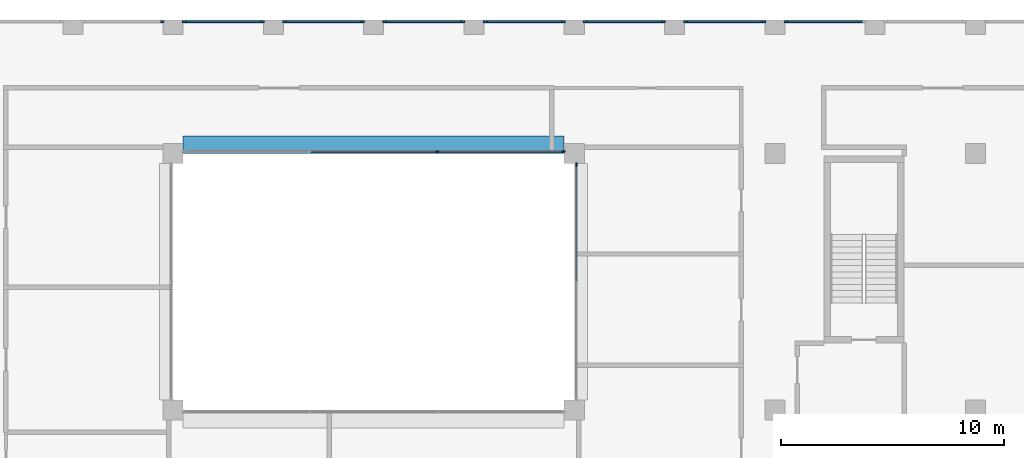
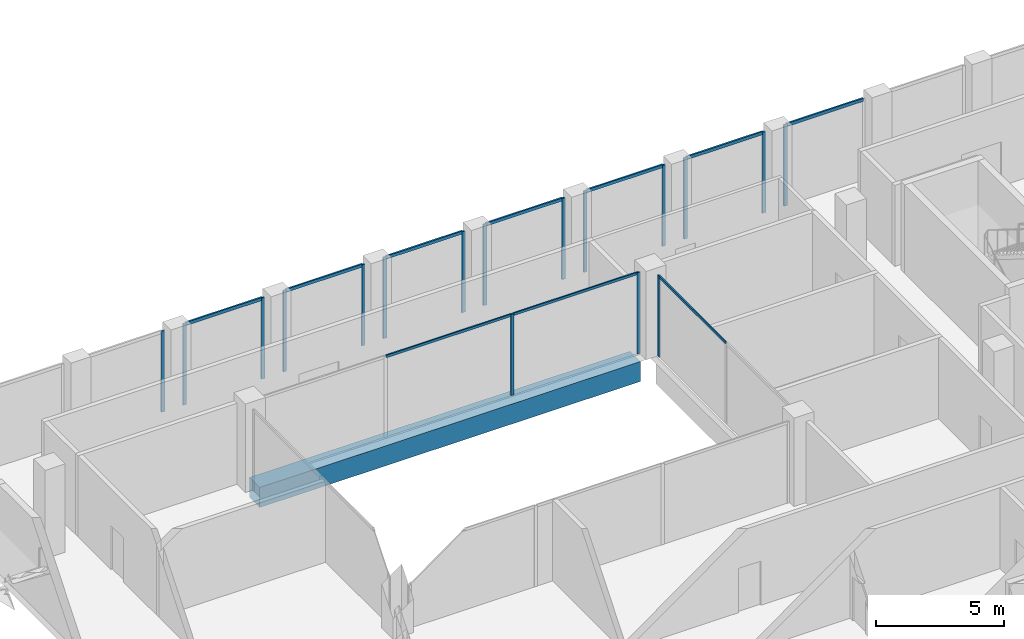
# One storey, part 8 of 15: 27 members, 1 beam, 10 elements without a shape of their own.
"""IFC4 building model written with IfcOpenShell, lengths in metres."""

from ifc_helpers import new_model, si_unit, direction, frame, origin, origin_2d, place, context, subcontext, project, spatial, rectangle, extrude, material, layer, layer_set, material_profile, profile_set, type_object, element, aggregate, save


model = new_model("IFC4")

# Units and contexts
model_context = context("Model", 3, precision=1e-05, world=origin(), true_north=direction((0.0, 1.0)))
body_context = subcontext(model_context, "Body", "Model", "MODEL_VIEW")
ifc_project = project(units=[si_unit("LENGTHUNIT", "METRE"), si_unit("AREAUNIT", "SQUARE_METRE"), si_unit("VOLUMEUNIT", "CUBIC_METRE"), si_unit("PLANEANGLEUNIT", "RADIAN"), si_unit("MASSUNIT", "GRAM", prefix="KILO")], contexts=[model_context])

# Site, building, storey
site_placement = place(None, origin())
site = spatial("IfcSite", under=ifc_project, at=site_placement, CompositionType="ELEMENT")
building_placement = place(site_placement, origin())
building = spatial("IfcBuilding", under=site, at=building_placement, Name="Brigalow Station Residences", CompositionType="ELEMENT")
storey_placement = place(building_placement, frame((0.0, 0.0, 235.800048828125)))
storey = spatial("IfcBuildingStorey", under=building, at=storey_placement, Name="L68", CompositionType="ELEMENT", Elevation=235.800048828125)

# Beam
ifc_material_1 = material(Name="Concrete C65", Category="concrete")
ifc_material_profile_1 = material_profile(ifc_material_1, rectangle(XDim=0.800048828125, YDim=0.949951171875, at=origin_2d()), Name="RC800x950")
ifc_profile_set_1 = profile_set([ifc_material_profile_1], Name="Concrete C65")
beam_type = type_object("IfcBeamType", Name="ATRIUM EDGE GIRDER OVER 13.5 M SPAN 800x950 C65", PredefinedType="BEAM", material=ifc_profile_set_1)
beam_placement = place(storey_placement, frame((27.449951171875, 35.89990234375, -0.824951171875), z_axis=(1.0, 0.0, 0.0), x_axis=(0.0, 1.0, 0.0)))
element("IfcBeam", 1, at=beam_placement, inside=storey, type_object=beam_type, Name="ATRIUM EDGE GIRDER D L68", PredefinedType="BEAM", context=body_context, shape_type="SweptSolid", body=[
    extrude(rectangle(XDim=0.800048828125, YDim=0.949951171875, at=origin_2d()), origin(), (0.0, 0.0, 1.0), 17.10009765625),
])

# Curtain wall, member
ifc_material_2 = material(Name="Aluminium", Category="aluminium")
ifc_layer_1 = layer(ifc_material_2, 0.14990234375)
ifc_layer_set_1 = layer_set([ifc_layer_1], Name="ATRIUM FIRE-RATED GLAZING CURTAIN WALL")
curtain_wall_type_1 = type_object("IfcCurtainWallType", Name="ATRIUM FIRE-RATED GLAZING CURTAIN WALL", PredefinedType="NOTDEFINED", material=ifc_layer_set_1)
curtain_wall_1_placement = place(storey_placement, origin())
curtain_wall_1 = element("IfcCurtainWall", 2, at=curtain_wall_1_placement, inside=storey, type_object=curtain_wall_type_1, Name="L68/cw/atrium-E", PredefinedType="NOTDEFINED")
ifc_material_3 = material(Name="Aluminium", Category="aluminium")
ifc_material_profile_2 = material_profile(ifc_material_3, rectangle(XDim=0.06005859375, YDim=0.14990234375, at=origin_2d()), Name="ATRIUM FIRE-RATED GLAZING MULLION 60x150")
ifc_profile_set_2 = profile_set([ifc_material_profile_2], Name="Aluminium")
member_type_1 = type_object("IfcMemberType", Name="ATRIUM FIRE-RATED GLAZING MULLION 60x150", PredefinedType="MULLION", material=ifc_profile_set_2)
member_1_placement = place(storey_placement, frame((45.10009765625, 35.02001953125, 0.0), z_axis=(0.0, 0.0, 1.0), x_axis=(-1.0, 0.0, 0.0)))
member_1 = element("IfcMember", 3, at=member_1_placement, type_object=member_type_1, Name="L68/cw/atrium-E/M02", PredefinedType="MULLION", context=body_context, shape_type="SweptSolid", body=[
    extrude(rectangle(XDim=0.06005859375, YDim=0.14990234375, at=origin_2d()), origin(), (0.0, 0.0, 1.0), 3.849853515625),
])

# Curtain wall, members
curtain_wall_2_placement = place(storey_placement, origin())
curtain_wall_2 = element("IfcCurtainWall", 4, at=curtain_wall_2_placement, inside=storey, type_object=curtain_wall_type_1, Name="L68/cw/atrium-N", PredefinedType="NOTDEFINED")
member_2_placement = place(storey_placement, frame((44.52001953125, 35.60009765625, 0.0), z_axis=(0.0, 0.0, 1.0), x_axis=(0.0, -1.0, 0.0)))
member_2 = element("IfcMember", 5, at=member_2_placement, type_object=member_type_1, Name="L68/cw/atrium-N/M00", PredefinedType="MULLION", context=body_context, shape_type="SweptSolid", body=[
    extrude(rectangle(XDim=0.06005859375, YDim=0.14990234375, at=origin_2d()), origin(), (0.0, 0.0, 1.0), 3.849853515625),
])
member_3_placement = place(storey_placement, frame((38.85009765625, 35.60009765625, 0.0), z_axis=(0.0, 0.0, 1.0), x_axis=(0.0, -1.0, 0.0)))
member_3 = element("IfcMember", 6, at=member_3_placement, type_object=member_type_1, Name="L68/cw/atrium-N/M01", PredefinedType="MULLION", context=body_context, shape_type="SweptSolid", body=[
    extrude(rectangle(XDim=0.06005859375, YDim=0.14990234375, at=origin_2d()), origin(), (0.0, 0.0, 1.0), 3.849853515625),
])

# Member
ifc_material_4 = material(Name="Aluminium", Category="aluminium")
ifc_material_profile_3 = material_profile(ifc_material_4, rectangle(XDim=0.06005859375, YDim=0.1201171875, at=origin_2d()), Name="ATRIUM FIRE-RATED GLAZING TRANSOM 60x120")
ifc_profile_set_3 = profile_set([ifc_material_profile_3], Name="Aluminium")
member_type_2 = type_object("IfcMemberType", Name="ATRIUM FIRE-RATED GLAZING TRANSOM 60x120", PredefinedType="USERDEFINED", material=ifc_profile_set_3)
member_4_placement = place(storey_placement, frame((45.10009765625, 29.780029296875, 3.820068359375), z_axis=(0.0, 1.0, 0.0), x_axis=(-1.0, 0.0, 0.0)))
member_4 = element("IfcMember", 7, at=member_4_placement, type_object=member_type_2, Name="L68/cw/atrium-E/T01-00", ObjectType="TRANSOM", PredefinedType="USERDEFINED", context=body_context, shape_type="SweptSolid", body=[
    extrude(rectangle(XDim=0.06005859375, YDim=0.1201171875, at=origin_2d()), origin(), (0.0, 0.0, 1.0), 5.2099609375),
])

aggregate(curtain_wall_1, [member_1, member_4])

member_5_placement = place(storey_placement, frame((44.489990234375, 35.60009765625, 3.820068359375), z_axis=(-1.0, 0.0, 0.0), x_axis=(0.0, -1.0, 0.0)))
member_5 = element("IfcMember", 8, at=member_5_placement, type_object=member_type_2, Name="L68/cw/atrium-N/T00-00", ObjectType="TRANSOM", PredefinedType="USERDEFINED", context=body_context, shape_type="SweptSolid", body=[
    extrude(rectangle(XDim=0.06005859375, YDim=0.1201171875, at=origin_2d()), origin(), (0.0, 0.0, 1.0), 5.610107421875),
])

member_6_placement = place(storey_placement, frame((38.820068359375, 35.60009765625, 3.820068359375), z_axis=(-1.0, 0.0, 0.0), x_axis=(0.0, -1.0, 0.0)))
member_6 = element("IfcMember", 9, at=member_6_placement, type_object=member_type_2, Name="L68/cw/atrium-N/T01-00", ObjectType="TRANSOM", PredefinedType="USERDEFINED", context=body_context, shape_type="SweptSolid", body=[
    extrude(rectangle(XDim=0.06005859375, YDim=0.1201171875, at=origin_2d()), origin(), (0.0, 0.0, 1.0), 5.64013671875),
])

aggregate(curtain_wall_2, [member_2, member_3, member_5, member_6])

# Curtain wall, member
ifc_material_5 = material(Name="Aluminium", Category="aluminium")
ifc_layer_2 = layer(ifc_material_5, 0.14990234375)
ifc_layer_set_2 = layer_set([ifc_layer_2], Name="CROWN CURTAIN WALL")
curtain_wall_type_2 = type_object("IfcCurtainWallType", Name="CROWN CURTAIN WALL", PredefinedType="NOTDEFINED", material=ifc_layer_set_2)
curtain_wall_3_placement = place(storey_placement, origin())
curtain_wall_3 = element("IfcCurtainWall", 10, at=curtain_wall_3_placement, inside=storey, type_object=curtain_wall_type_2, Name="L68/cw/crown-W-L68-20-21", PredefinedType="NOTDEFINED")
ifc_material_6 = material(Name="Aluminium", Category="aluminium")
ifc_material_profile_4 = material_profile(ifc_material_6, rectangle(XDim=0.074951171875, YDim=0.14990234375, at=origin_2d()), Name="CROWN MULLION 75x150")
ifc_profile_set_4 = profile_set([ifc_material_profile_4], Name="Aluminium")
member_type_3 = type_object("IfcMemberType", Name="CROWN MULLION 75x150", PredefinedType="MULLION", material=ifc_profile_set_4)
member_7_placement = place(storey_placement, frame((54.487548828125, 41.425048828125, 0.0), z_axis=(0.0, 0.0, 1.0), x_axis=(0.0, -1.0, 0.0)))
member_7 = element("IfcMember", 11, at=member_7_placement, type_object=member_type_3, Name="L68/cw/crown-W-L68-20-21/M01", PredefinedType="MULLION", context=body_context, shape_type="SweptSolid", body=[
    extrude(rectangle(XDim=0.074951171875, YDim=0.14990234375, at=origin_2d()), origin(), (0.0, 0.0, 1.0), 3.849853515625),
])

# Curtain wall, members
curtain_wall_4_placement = place(storey_placement, origin())
curtain_wall_4 = element("IfcCurtainWall", 12, at=curtain_wall_4_placement, inside=storey, type_object=curtain_wall_type_2, Name="L68/cw/crown-W-L68-20-22", PredefinedType="NOTDEFINED")
member_8_placement = place(storey_placement, frame((53.512451171875, 41.425048828125, 0.0), z_axis=(0.0, 0.0, 1.0), x_axis=(0.0, -1.0, 0.0)))
member_8 = element("IfcMember", 13, at=member_8_placement, type_object=member_type_3, Name="L68/cw/crown-W-L68-20-22/M00", PredefinedType="MULLION", context=body_context, shape_type="SweptSolid", body=[
    extrude(rectangle(XDim=0.074951171875, YDim=0.14990234375, at=origin_2d()), origin(), (0.0, 0.0, 1.0), 3.849853515625),
])
member_9_placement = place(storey_placement, frame((49.987548828125, 41.425048828125, 0.0), z_axis=(0.0, 0.0, 1.0), x_axis=(0.0, -1.0, 0.0)))
member_9 = element("IfcMember", 14, at=member_9_placement, type_object=member_type_3, Name="L68/cw/crown-W-L68-20-22/M01", PredefinedType="MULLION", context=body_context, shape_type="SweptSolid", body=[
    extrude(rectangle(XDim=0.074951171875, YDim=0.14990234375, at=origin_2d()), origin(), (0.0, 0.0, 1.0), 3.849853515625),
])

curtain_wall_5_placement = place(storey_placement, origin())
curtain_wall_5 = element("IfcCurtainWall", 15, at=curtain_wall_5_placement, inside=storey, type_object=curtain_wall_type_2, Name="L68/cw/crown-W-L68-20-23", PredefinedType="NOTDEFINED")
member_10_placement = place(storey_placement, frame((49.012451171875, 41.425048828125, 0.0), z_axis=(0.0, 0.0, 1.0), x_axis=(0.0, -1.0, 0.0)))
member_10 = element("IfcMember", 16, at=member_10_placement, type_object=member_type_3, Name="L68/cw/crown-W-L68-20-23/M00", PredefinedType="MULLION", context=body_context, shape_type="SweptSolid", body=[
    extrude(rectangle(XDim=0.074951171875, YDim=0.14990234375, at=origin_2d()), origin(), (0.0, 0.0, 1.0), 3.849853515625),
])
member_11_placement = place(storey_placement, frame((45.487548828125, 41.425048828125, 0.0), z_axis=(0.0, 0.0, 1.0), x_axis=(0.0, -1.0, 0.0)))
member_11 = element("IfcMember", 17, at=member_11_placement, type_object=member_type_3, Name="L68/cw/crown-W-L68-20-23/M01", PredefinedType="MULLION", context=body_context, shape_type="SweptSolid", body=[
    extrude(rectangle(XDim=0.074951171875, YDim=0.14990234375, at=origin_2d()), origin(), (0.0, 0.0, 1.0), 3.849853515625),
])

curtain_wall_6_placement = place(storey_placement, origin())
curtain_wall_6 = element("IfcCurtainWall", 18, at=curtain_wall_6_placement, inside=storey, type_object=curtain_wall_type_2, Name="L68/cw/crown-W-L68-20-24", PredefinedType="NOTDEFINED")
member_12_placement = place(storey_placement, frame((44.512451171875, 41.425048828125, 0.0), z_axis=(0.0, 0.0, 1.0), x_axis=(0.0, -1.0, 0.0)))
member_12 = element("IfcMember", 19, at=member_12_placement, type_object=member_type_3, Name="L68/cw/crown-W-L68-20-24/M00", PredefinedType="MULLION", context=body_context, shape_type="SweptSolid", body=[
    extrude(rectangle(XDim=0.074951171875, YDim=0.14990234375, at=origin_2d()), origin(), (0.0, 0.0, 1.0), 3.849853515625),
])
member_13_placement = place(storey_placement, frame((40.987548828125, 41.425048828125, 0.0), z_axis=(0.0, 0.0, 1.0), x_axis=(0.0, -1.0, 0.0)))
member_13 = element("IfcMember", 20, at=member_13_placement, type_object=member_type_3, Name="L68/cw/crown-W-L68-20-24/M01", PredefinedType="MULLION", context=body_context, shape_type="SweptSolid", body=[
    extrude(rectangle(XDim=0.074951171875, YDim=0.14990234375, at=origin_2d()), origin(), (0.0, 0.0, 1.0), 3.849853515625),
])

curtain_wall_7_placement = place(storey_placement, origin())
curtain_wall_7 = element("IfcCurtainWall", 21, at=curtain_wall_7_placement, inside=storey, type_object=curtain_wall_type_2, Name="L68/cw/crown-W-L68-20-25", PredefinedType="NOTDEFINED")
member_14_placement = place(storey_placement, frame((40.012451171875, 41.425048828125, 0.0), z_axis=(0.0, 0.0, 1.0), x_axis=(0.0, -1.0, 0.0)))
member_14 = element("IfcMember", 22, at=member_14_placement, type_object=member_type_3, Name="L68/cw/crown-W-L68-20-25/M00", PredefinedType="MULLION", context=body_context, shape_type="SweptSolid", body=[
    extrude(rectangle(XDim=0.074951171875, YDim=0.14990234375, at=origin_2d()), origin(), (0.0, 0.0, 1.0), 3.849853515625),
])
member_15_placement = place(storey_placement, frame((36.487548828125, 41.425048828125, 0.0), z_axis=(0.0, 0.0, 1.0), x_axis=(0.0, -1.0, 0.0)))
member_15 = element("IfcMember", 23, at=member_15_placement, type_object=member_type_3, Name="L68/cw/crown-W-L68-20-25/M01", PredefinedType="MULLION", context=body_context, shape_type="SweptSolid", body=[
    extrude(rectangle(XDim=0.074951171875, YDim=0.14990234375, at=origin_2d()), origin(), (0.0, 0.0, 1.0), 3.849853515625),
])

curtain_wall_8_placement = place(storey_placement, origin())
curtain_wall_8 = element("IfcCurtainWall", 24, at=curtain_wall_8_placement, inside=storey, type_object=curtain_wall_type_2, Name="L68/cw/crown-W-L68-20-26", PredefinedType="NOTDEFINED")
member_16_placement = place(storey_placement, frame((35.512451171875, 41.425048828125, 0.0), z_axis=(0.0, 0.0, 1.0), x_axis=(0.0, -1.0, 0.0)))
member_16 = element("IfcMember", 25, at=member_16_placement, type_object=member_type_3, Name="L68/cw/crown-W-L68-20-26/M00", PredefinedType="MULLION", context=body_context, shape_type="SweptSolid", body=[
    extrude(rectangle(XDim=0.074951171875, YDim=0.14990234375, at=origin_2d()), origin(), (0.0, 0.0, 1.0), 3.849853515625),
])
member_17_placement = place(storey_placement, frame((31.987548828125, 41.425048828125, 0.0), z_axis=(0.0, 0.0, 1.0), x_axis=(0.0, -1.0, 0.0)))
member_17 = element("IfcMember", 26, at=member_17_placement, type_object=member_type_3, Name="L68/cw/crown-W-L68-20-26/M01", PredefinedType="MULLION", context=body_context, shape_type="SweptSolid", body=[
    extrude(rectangle(XDim=0.074951171875, YDim=0.14990234375, at=origin_2d()), origin(), (0.0, 0.0, 1.0), 3.849853515625),
])

curtain_wall_9_placement = place(storey_placement, origin())
curtain_wall_9 = element("IfcCurtainWall", 27, at=curtain_wall_9_placement, inside=storey, type_object=curtain_wall_type_2, Name="L68/cw/crown-W-L68-20-27", PredefinedType="NOTDEFINED")
member_18_placement = place(storey_placement, frame((31.012451171875, 41.425048828125, 0.0), z_axis=(0.0, 0.0, 1.0), x_axis=(0.0, -1.0, 0.0)))
member_18 = element("IfcMember", 28, at=member_18_placement, type_object=member_type_3, Name="L68/cw/crown-W-L68-20-27/M00", PredefinedType="MULLION", context=body_context, shape_type="SweptSolid", body=[
    extrude(rectangle(XDim=0.074951171875, YDim=0.14990234375, at=origin_2d()), origin(), (0.0, 0.0, 1.0), 3.849853515625),
])
member_19_placement = place(storey_placement, frame((27.487548828125, 41.425048828125, 0.0), z_axis=(0.0, 0.0, 1.0), x_axis=(0.0, -1.0, 0.0)))
member_19 = element("IfcMember", 29, at=member_19_placement, type_object=member_type_3, Name="L68/cw/crown-W-L68-20-27/M01", PredefinedType="MULLION", context=body_context, shape_type="SweptSolid", body=[
    extrude(rectangle(XDim=0.074951171875, YDim=0.14990234375, at=origin_2d()), origin(), (0.0, 0.0, 1.0), 3.849853515625),
])

# Curtain wall, member
curtain_wall_10_placement = place(storey_placement, origin())
curtain_wall_10 = element("IfcCurtainWall", 30, at=curtain_wall_10_placement, inside=storey, type_object=curtain_wall_type_2, Name="L68/cw/crown-W-L68-20-28", PredefinedType="NOTDEFINED")
member_20_placement = place(storey_placement, frame((26.512451171875, 41.425048828125, 0.0), z_axis=(0.0, 0.0, 1.0), x_axis=(0.0, -1.0, 0.0)))
member_20 = element("IfcMember", 31, at=member_20_placement, type_object=member_type_3, Name="L68/cw/crown-W-L68-20-28/M00", PredefinedType="MULLION", context=body_context, shape_type="SweptSolid", body=[
    extrude(rectangle(XDim=0.074951171875, YDim=0.14990234375, at=origin_2d()), origin(), (0.0, 0.0, 1.0), 3.849853515625),
])
aggregate(curtain_wall_10, [member_20])

# Member
ifc_material_7 = material(Name="Aluminium", Category="aluminium")
ifc_material_profile_5 = material_profile(ifc_material_7, rectangle(XDim=0.074951171875, YDim=0.14990234375, at=origin_2d()), Name="CROWN TRANSOM 75x150")
ifc_profile_set_5 = profile_set([ifc_material_profile_5], Name="Aluminium")
member_type_4 = type_object("IfcMemberType", Name="CROWN TRANSOM 75x150", PredefinedType="USERDEFINED", material=ifc_profile_set_5)
member_21_placement = place(storey_placement, frame((57.97509765625, 41.425048828125, 3.8125), z_axis=(-1.0, 0.0, 0.0), x_axis=(0.0, -1.0, 0.0)))
member_21 = element("IfcMember", 32, at=member_21_placement, type_object=member_type_4, Name="L68/cw/crown-W-L68-20-21/T00-00", ObjectType="TRANSOM", PredefinedType="USERDEFINED", context=body_context, shape_type="SweptSolid", body=[
    extrude(rectangle(XDim=0.074951171875, YDim=0.14990234375, at=origin_2d()), origin(), (0.0, 0.0, 1.0), 3.4501953125),
])

aggregate(curtain_wall_3, [member_7, member_21])

member_22_placement = place(storey_placement, frame((53.47509765625, 41.425048828125, 3.8125), z_axis=(-1.0, 0.0, 0.0), x_axis=(0.0, -1.0, 0.0)))
member_22 = element("IfcMember", 33, at=member_22_placement, type_object=member_type_4, Name="L68/cw/crown-W-L68-20-22/T00-00", ObjectType="TRANSOM", PredefinedType="USERDEFINED", context=body_context, shape_type="SweptSolid", body=[
    extrude(rectangle(XDim=0.074951171875, YDim=0.14990234375, at=origin_2d()), origin(), (0.0, 0.0, 1.0), 3.4501953125),
])

aggregate(curtain_wall_4, [member_8, member_9, member_22])

member_23_placement = place(storey_placement, frame((48.97509765625, 41.425048828125, 3.8125), z_axis=(-1.0, 0.0, 0.0), x_axis=(0.0, -1.0, 0.0)))
member_23 = element("IfcMember", 34, at=member_23_placement, type_object=member_type_4, Name="L68/cw/crown-W-L68-20-23/T00-00", ObjectType="TRANSOM", PredefinedType="USERDEFINED", context=body_context, shape_type="SweptSolid", body=[
    extrude(rectangle(XDim=0.074951171875, YDim=0.14990234375, at=origin_2d()), origin(), (0.0, 0.0, 1.0), 3.4501953125),
])

aggregate(curtain_wall_5, [member_10, member_11, member_23])

member_24_placement = place(storey_placement, frame((44.47509765625, 41.425048828125, 3.8125), z_axis=(-1.0, 0.0, 0.0), x_axis=(0.0, -1.0, 0.0)))
member_24 = element("IfcMember", 35, at=member_24_placement, type_object=member_type_4, Name="L68/cw/crown-W-L68-20-24/T00-00", ObjectType="TRANSOM", PredefinedType="USERDEFINED", context=body_context, shape_type="SweptSolid", body=[
    extrude(rectangle(XDim=0.074951171875, YDim=0.14990234375, at=origin_2d()), origin(), (0.0, 0.0, 1.0), 3.4501953125),
])

aggregate(curtain_wall_6, [member_12, member_13, member_24])

member_25_placement = place(storey_placement, frame((39.97509765625, 41.425048828125, 3.8125), z_axis=(-1.0, 0.0, 0.0), x_axis=(0.0, -1.0, 0.0)))
member_25 = element("IfcMember", 36, at=member_25_placement, type_object=member_type_4, Name="L68/cw/crown-W-L68-20-25/T00-00", ObjectType="TRANSOM", PredefinedType="USERDEFINED", context=body_context, shape_type="SweptSolid", body=[
    extrude(rectangle(XDim=0.074951171875, YDim=0.14990234375, at=origin_2d()), origin(), (0.0, 0.0, 1.0), 3.4501953125),
])

aggregate(curtain_wall_7, [member_14, member_15, member_25])

member_26_placement = place(storey_placement, frame((35.47509765625, 41.425048828125, 3.8125), z_axis=(-1.0, 0.0, 0.0), x_axis=(0.0, -1.0, 0.0)))
member_26 = element("IfcMember", 37, at=member_26_placement, type_object=member_type_4, Name="L68/cw/crown-W-L68-20-26/T00-00", ObjectType="TRANSOM", PredefinedType="USERDEFINED", context=body_context, shape_type="SweptSolid", body=[
    extrude(rectangle(XDim=0.074951171875, YDim=0.14990234375, at=origin_2d()), origin(), (0.0, 0.0, 1.0), 3.4501953125),
])

aggregate(curtain_wall_8, [member_16, member_17, member_26])

member_27_placement = place(storey_placement, frame((30.97509765625, 41.425048828125, 3.8125), z_axis=(-1.0, 0.0, 0.0), x_axis=(0.0, -1.0, 0.0)))
member_27 = element("IfcMember", 38, at=member_27_placement, type_object=member_type_4, Name="L68/cw/crown-W-L68-20-27/T00-00", ObjectType="TRANSOM", PredefinedType="USERDEFINED", context=body_context, shape_type="SweptSolid", body=[
    extrude(rectangle(XDim=0.074951171875, YDim=0.14990234375, at=origin_2d()), origin(), (0.0, 0.0, 1.0), 3.4501953125),
])

aggregate(curtain_wall_9, [member_18, member_19, member_27])

save(model, "model.ifc")
